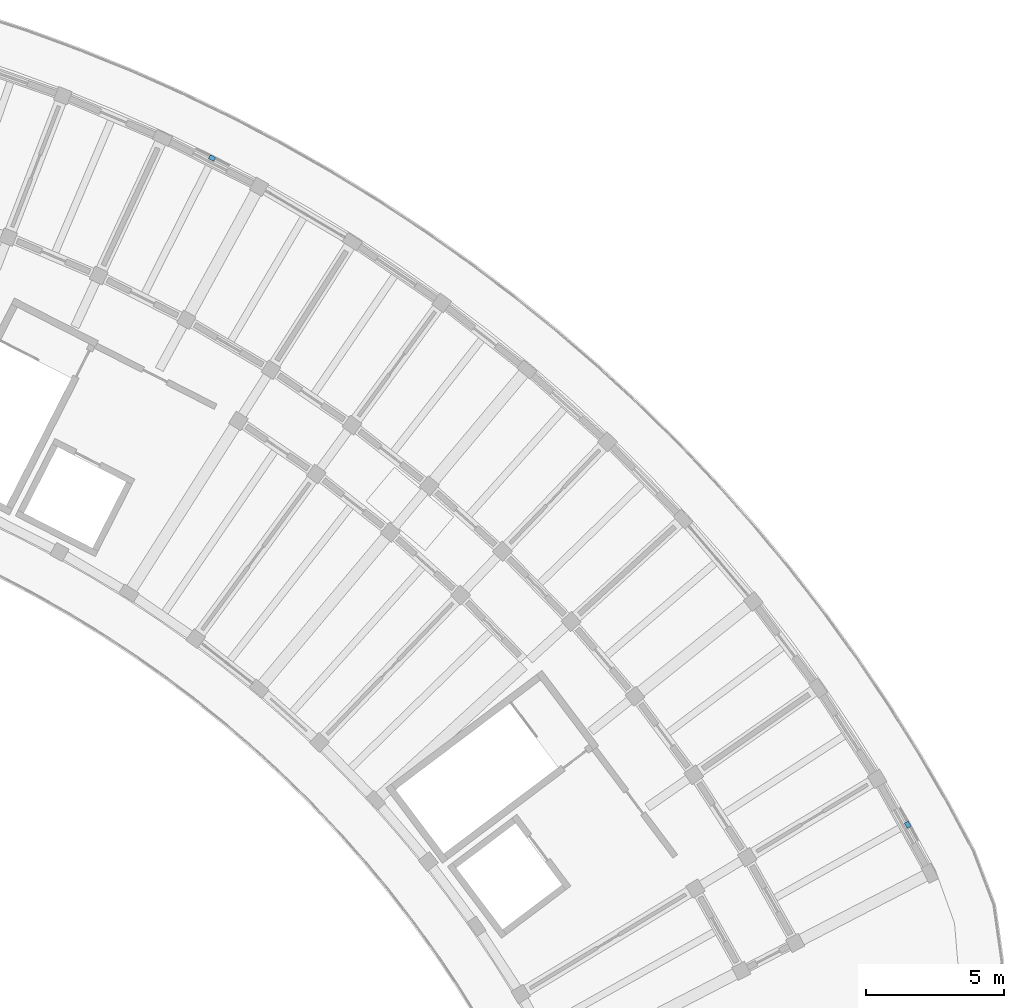
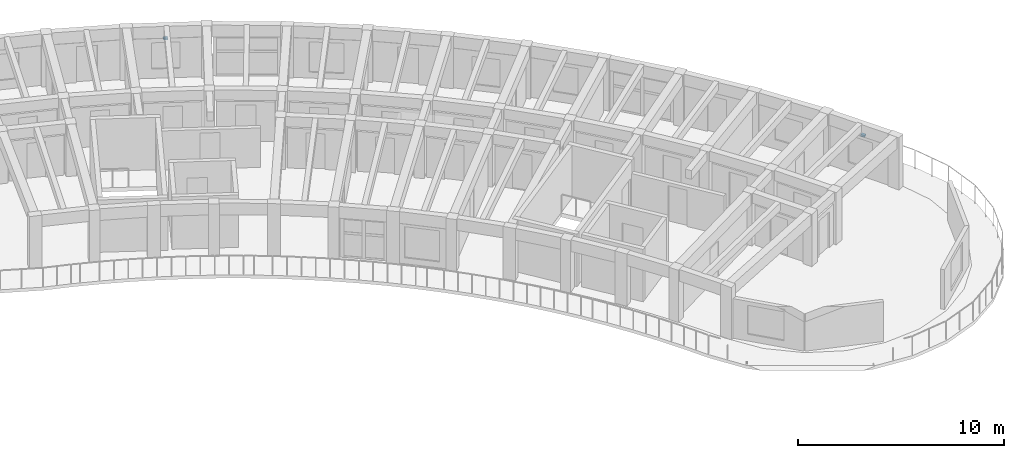
# One storey, part 26 of 32: 2 discrete accessories.
"""IFC4 building model written with IfcOpenShell, lengths in metres."""

from ifc_helpers import new_model, si_unit, direction, frame, origin, origin_2d, place, context, subcontext, project, spatial, rectangle, extrude, material, type_object, element, save


model = new_model("IFC4")

# Units and contexts
model_context = context("Model", 3, precision=1e-05, world=origin(), true_north=direction((0.0, 1.0)))
body_context = subcontext(model_context, "Body", "Model", "MODEL_VIEW")
ifc_project = project(units=[si_unit("LENGTHUNIT", "METRE"), si_unit("AREAUNIT", "SQUARE_METRE"), si_unit("VOLUMEUNIT", "CUBIC_METRE"), si_unit("PLANEANGLEUNIT", "RADIAN"), si_unit("MASSUNIT", "GRAM", prefix="KILO")], contexts=[model_context])

# Site, building, storey
site_placement = place(None, origin())
site = spatial("IfcSite", under=ifc_project, at=site_placement, CompositionType="ELEMENT")
building_placement = place(site_placement, origin())
building = spatial("IfcBuilding", under=site, at=building_placement, Name="Tanwirah Colonnade Gardens", CompositionType="ELEMENT")
storey_placement = place(building_placement, frame((0.0, 0.0, 42.43994140625)))
storey = spatial("IfcBuildingStorey", under=building, at=storey_placement, Name="L12", CompositionType="ELEMENT", Elevation=42.43994140625)

# Discrete accessories
ifc_material = material(Name="Steel S355", Category="steel")
discrete_accessory_type = type_object("IfcDiscreteAccessoryType", Name="BRK-SS1", PredefinedType="BRACKET", material=ifc_material)
for number, where, z_axis, x_axis, name in (
    (1, (173.098388671875, 89.30615234375, 2.18505859375), (0.0, 0.0, 1.0), (-0.488197617823, 0.872733112671, 0.0), "Solar screen support bracket B-L12-03"),
    (2, (147.857666015625, 113.492431640625, 2.110107421875), (0.0, 0.0, 1.0), (-0.892760732923, 0.450531101868, 0.0), "Solar screen support bracket B-L12-12"),
):
    element("IfcDiscreteAccessory", number, at=place(storey_placement, frame(where, z_axis=z_axis, x_axis=x_axis)), inside=storey, type_object=discrete_accessory_type, Name=name, PredefinedType="BRACKET", context=body_context, shape_type="SweptSolid", body=[
        extrude(rectangle(XDim=0.219970703125, YDim=0.159912109375, at=origin_2d()), origin(), (0.0, 0.0, 1.0), 0.1201171875),
    ])

save(model, "model.ifc")
